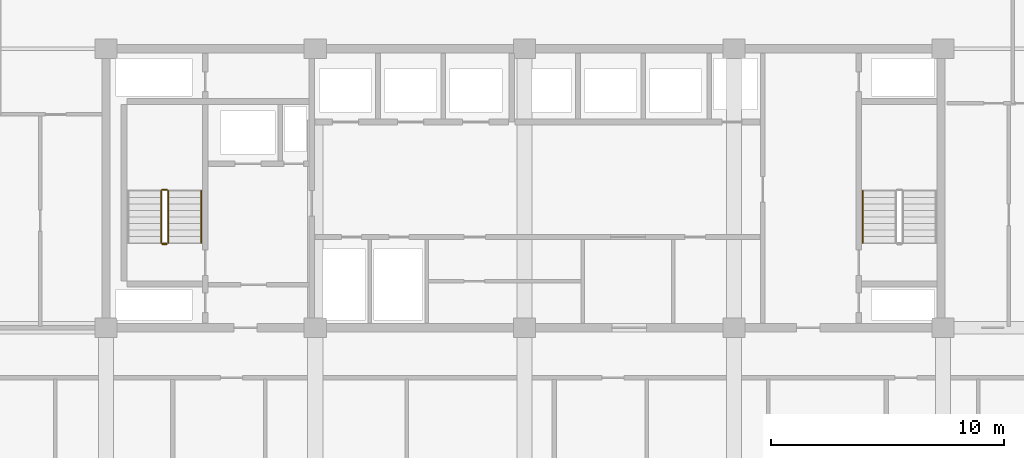
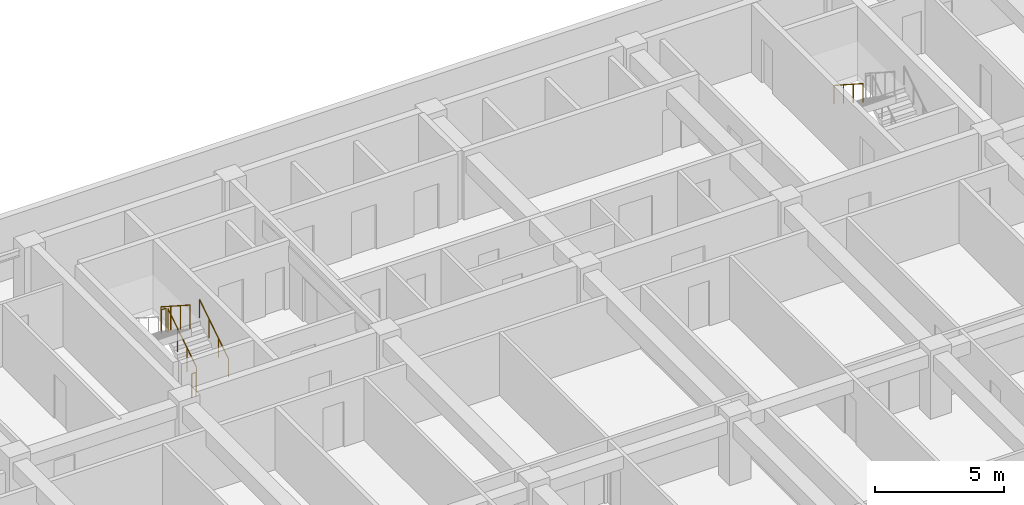
# One storey, part 20 of 23: 6 railings.
"""IFC4 building model written with IfcOpenShell, lengths in metres."""

from ifc_helpers import new_model, si_unit, direction, frame, origin, origin_2d, place, context, subcontext, project, spatial, circle, extrude, material, type_object, element, save


model = new_model("IFC4")

# Units and contexts
model_context = context("Model", 3, precision=1e-05, world=origin(), true_north=direction((0.0, 1.0)))
body_context = subcontext(model_context, "Body", "Model", "MODEL_VIEW")
ifc_project = project(units=[si_unit("LENGTHUNIT", "METRE"), si_unit("AREAUNIT", "SQUARE_METRE"), si_unit("VOLUMEUNIT", "CUBIC_METRE"), si_unit("PLANEANGLEUNIT", "RADIAN"), si_unit("MASSUNIT", "GRAM", prefix="KILO")], contexts=[model_context])

# Site, building, storey
site_placement = place(None, origin())
site = spatial("IfcSite", under=ifc_project, at=site_placement, CompositionType="ELEMENT")
building_placement = place(site_placement, origin())
building = spatial("IfcBuilding", under=site, at=building_placement, Name="Korimba Cascade Residences", CompositionType="ELEMENT")
storey_placement = place(building_placement, frame((0.0, 0.0, 40.25)))
storey = spatial("IfcBuildingStorey", under=building, at=storey_placement, Name="L10", CompositionType="ELEMENT", Elevation=40.25)

# Railings
ifc_material_1 = material(Name="Painted Steel Stairwell Guardrail", Category="steel")
railing_type_1 = type_object("IfcRailingType", Name="RLG-ST-GD1150", PredefinedType="GUARDRAIL", material=ifc_material_1)
railing_1_placement = place(storey_placement, frame((84.77001953125, 22.050048828125, 0.1806640625)))
element("IfcRailing", 1, at=railing_1_placement, inside=storey, type_object=railing_type_1, Name="L10 ST-E1 stair guard 1", PredefinedType="GUARDRAIL", context=body_context, shape_type="SweptSolid", body=[
    extrude(circle(Radius=0.02392578125, at=origin_2d()), frame((0.0, 0.0, 1.1259765625), z_axis=(0.0, 0.840436612492, 0.541909863706), x_axis=(-1.0, 0.0, 0.0)), (0.0, 0.0, 1.0), 2.665283203125),
    extrude(circle(Radius=0.02099609375, at=origin_2d()), origin(), (0.0, 0.0, 1.0), 1.101806640625),
    extrude(circle(Radius=0.02099609375, at=origin_2d()), frame((0.0, 0.74658203125, 0.4814453125)), (0.0, 0.0, 1.0), 1.101806640625),
    extrude(circle(Radius=0.02099609375, at=origin_2d()), frame((0.0, 1.493408203125, 0.962890625)), (0.0, 0.0, 1.0), 1.101806640625),
    extrude(circle(Radius=0.02099609375, at=origin_2d()), frame((0.0, 2.239990234375, 1.4443359375)), (0.0, 0.0, 1.0), 1.101806640625),
])
railing_2_placement = place(storey_placement, frame((84.719970703125, 24.340087890625, 1.625)))
element("IfcRailing", 2, at=railing_2_placement, inside=storey, type_object=railing_type_1, Name="L10 ST-E1 stair guard 2", PredefinedType="GUARDRAIL", context=body_context, shape_type="SweptSolid", body=[
    extrude(circle(Radius=0.02392578125, at=origin_2d()), frame((0.0, 0.0, 1.1259765625), z_axis=(-1.0, 0.0, 0.0), x_axis=(0.0, -1.0, 0.0)), (0.0, 0.0, 1.0), 0.199951171875),
    extrude(circle(Radius=0.02099609375, at=origin_2d()), origin(), (0.0, 0.0, 1.0), 1.101806640625),
    extrude(circle(Radius=0.02099609375, at=origin_2d()), frame((-0.199951171875, 0.0, 0.0)), (0.0, 0.0, 1.0), 1.101806640625),
])
railing_3_placement = place(storey_placement, frame((84.469970703125, 24.2900390625, 1.8056640625)))
element("IfcRailing", 3, at=railing_3_placement, inside=storey, type_object=railing_type_1, Name="L10 ST-E1 stair guard 3", PredefinedType="GUARDRAIL", context=body_context, shape_type="SweptSolid", body=[
    extrude(circle(Radius=0.02392578125, at=origin_2d()), frame((0.0, 0.0, 1.1259765625), z_axis=(0.0, -0.840436612492, 0.541909863706), x_axis=(1.0, 0.0, 0.0)), (0.0, 0.0, 1.0), 2.665283203125),
    extrude(circle(Radius=0.02099609375, at=origin_2d()), origin(), (0.0, 0.0, 1.0), 1.101806640625),
    extrude(circle(Radius=0.02099609375, at=origin_2d()), frame((0.0, -0.74658203125, 0.4814453125)), (0.0, 0.0, 1.0), 1.101806640625),
    extrude(circle(Radius=0.02099609375, at=origin_2d()), frame((0.0, -1.493408203125, 0.962890625)), (0.0, 0.0, 1.0), 1.101806640625),
    extrude(circle(Radius=0.02099609375, at=origin_2d()), frame((0.0, -2.239990234375, 1.4443359375)), (0.0, 0.0, 1.0), 1.101806640625),
])
railing_4_placement = place(storey_placement, frame((84.719970703125, 22.0, 0.0)))
element("IfcRailing", 4, at=railing_4_placement, inside=storey, type_object=railing_type_1, Name="L10 ST-E1 stair guard 4", PredefinedType="GUARDRAIL", context=body_context, shape_type="SweptSolid", body=[
    extrude(circle(Radius=0.02392578125, at=origin_2d()), frame((0.0, 0.0, 1.1259765625), z_axis=(-1.0, 0.0, 0.0), x_axis=(0.0, -1.0, 0.0)), (0.0, 0.0, 1.0), 0.199951171875),
    extrude(circle(Radius=0.02099609375, at=origin_2d()), origin(), (0.0, 0.0, 1.0), 1.101806640625),
    extrude(circle(Radius=0.02099609375, at=origin_2d()), frame((-0.199951171875, 0.0, 0.0)), (0.0, 0.0, 1.0), 1.101806640625),
])
ifc_material_2 = material(Name="Brushed Stainless Steel Handrail", Category="steel")
railing_type_2 = type_object("IfcRailingType", Name="RLG-ST-HR900", PredefinedType="HANDRAIL", material=ifc_material_2)
railing_5_placement = place(storey_placement, frame((86.18994140625, 22.050048828125, 0.364990234375)))
element("IfcRailing", 5, at=railing_5_placement, inside=storey, type_object=railing_type_2, Name="L10 ST-E1 stair handrail 1", PredefinedType="HANDRAIL", context=body_context, shape_type="SweptSolid", body=[
    extrude(circle(Radius=0.02392578125, at=origin_2d()), frame((0.0, 0.0, 0.8759765625), z_axis=(0.0, 0.840436612492, 0.541909863706), x_axis=(-1.0, 0.0, 0.0)), (0.0, 0.0, 1.0), 2.665283203125),
    extrude(circle(Radius=0.02099609375, at=origin_2d()), origin(), (0.0, 0.0, 1.0), 0.851806640625),
    extrude(circle(Radius=0.02099609375, at=origin_2d()), frame((0.0, 0.74658203125, 0.4814453125)), (0.0, 0.0, 1.0), 0.851806640625),
    extrude(circle(Radius=0.02099609375, at=origin_2d()), frame((0.0, 1.493408203125, 0.962890625)), (0.0, 0.0, 1.0), 0.851806640625),
    extrude(circle(Radius=0.02099609375, at=origin_2d()), frame((0.0, 2.239990234375, 1.4443359375)), (0.0, 0.0, 1.0), 0.851806640625),
])
railing_6_placement = place(storey_placement, frame((114.64990234375, 24.2900390625, 1.989990234375)))
element("IfcRailing", 6, at=railing_6_placement, inside=storey, type_object=railing_type_2, Name="L10 ST-E2 stair handrail 2", PredefinedType="HANDRAIL", context=body_context, shape_type="SweptSolid", body=[
    extrude(circle(Radius=0.02392578125, at=origin_2d()), frame((0.0, 0.0, 0.8759765625), z_axis=(0.0, -0.840436612492, 0.541909863706), x_axis=(1.0, 0.0, 0.0)), (0.0, 0.0, 1.0), 2.665283203125),
    extrude(circle(Radius=0.02099609375, at=origin_2d()), origin(), (0.0, 0.0, 1.0), 0.851806640625),
    extrude(circle(Radius=0.02099609375, at=origin_2d()), frame((0.0, -0.74658203125, 0.4814453125)), (0.0, 0.0, 1.0), 0.851806640625),
    extrude(circle(Radius=0.02099609375, at=origin_2d()), frame((0.0, -1.493408203125, 0.962890625)), (0.0, 0.0, 1.0), 0.851806640625),
    extrude(circle(Radius=0.02099609375, at=origin_2d()), frame((0.0, -2.239990234375, 1.4443359375)), (0.0, 0.0, 1.0), 0.851806640625),
])

save(model, "model.ifc")
